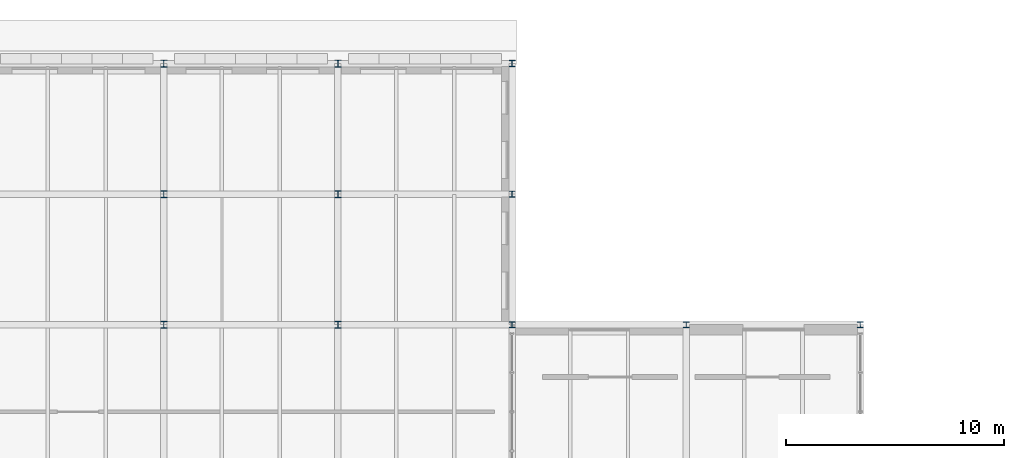
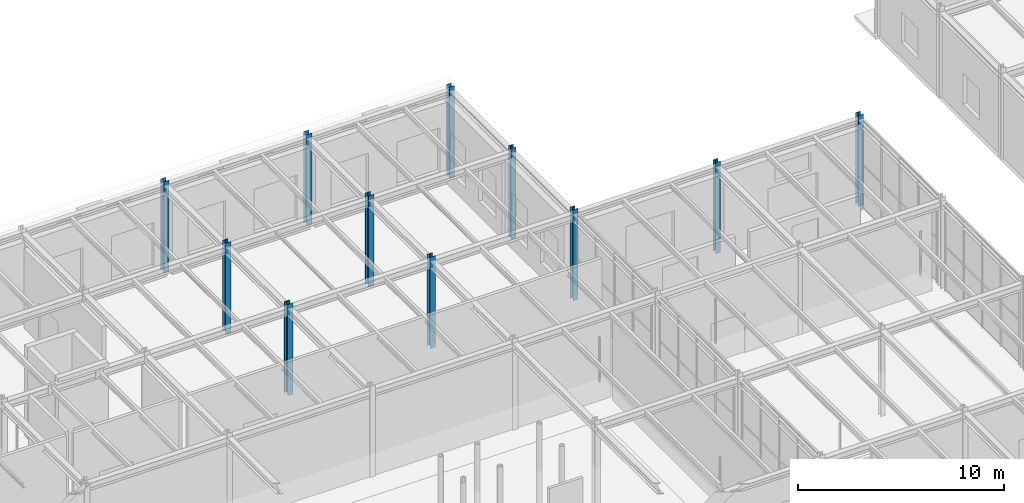
# One storey, part 16 of 129: 11 columns.
"""IFC4 building model written with IfcOpenShell, lengths in metres."""

from ifc_helpers import new_model, si_unit, direction, frame, origin, origin_2d, place, context, subcontext, project, spatial, i_section, extrude, material, material_profile, profile_set, type_object, element, save


model = new_model("IFC4")

# Units and contexts
model_context = context("Model", 3, precision=1e-05, world=origin(), true_north=direction((0.0, 1.0)))
body_context = subcontext(model_context, "Body", "Model", "MODEL_VIEW")
ifc_project = project(units=[si_unit("LENGTHUNIT", "METRE"), si_unit("AREAUNIT", "SQUARE_METRE"), si_unit("VOLUMEUNIT", "CUBIC_METRE"), si_unit("PLANEANGLEUNIT", "RADIAN"), si_unit("MASSUNIT", "GRAM", prefix="KILO")], contexts=[model_context])

# Site, building, storey
site_placement = place(None, origin())
site = spatial("IfcSite", under=ifc_project, at=site_placement, CompositionType="ELEMENT")
building_placement = place(site_placement, origin())
building = spatial("IfcBuilding", under=site, at=building_placement, Name="Sundkrona Museum", CompositionType="ELEMENT")
storey_placement = place(building_placement, origin())
storey = spatial("IfcBuildingStorey", under=building, at=storey_placement, Name="L00", CompositionType="ELEMENT", Elevation=0.0)

# Columns
ifc_material = material(Name="Steel S355J2", Category="steel")
ifc_material_profile_1 = material_profile(ifc_material, i_section(OverallWidth=0.280029296875, OverallDepth=0.280029296875, WebThickness=0.010498046875, FlangeThickness=0.01806640625, FilletRadius=0.02392578125, at=origin_2d()), Name="HEB 280")
ifc_profile_set_1 = profile_set([ifc_material_profile_1], Name="Steel S355J2")
column_type_1 = type_object("IfcColumnType", Name="C-HEB280", PredefinedType="COLUMN", material=ifc_profile_set_1)
for number, where, z_axis, x_axis, name in (
    (1, (80.0, 102.0, 0.0), (0.0, 0.0, 1.0), (1.0, 0.0, 0.0), "L00 Column P/11"),
    (2, (80.0, 108.0, 0.0), (0.0, 0.0, 1.0), (1.0, 0.0, 0.0), "L00 Column Q/11"),
    (3, (80.0, 114.0, 0.0), (0.0, 0.0, 1.0), (1.0, 0.0, 0.0), "L00 Column R/11"),
    (4, (88.0, 102.0, 0.0), (0.0, 0.0, 1.0), (1.0, 0.0, 0.0), "L00 Column P/12"),
    (5, (96.0, 102.0, 0.0), (0.0, 0.0, 1.0), (1.0, 0.0, 0.0), "L00 Column P/13"),
):
    element("IfcColumn", number, at=place(storey_placement, frame(where, z_axis=z_axis, x_axis=x_axis)), inside=storey, type_object=column_type_1, Name=name, PredefinedType="COLUMN", context=body_context, shape_type="SweptSolid", body=[
        extrude(i_section(OverallWidth=0.280029296875, OverallDepth=0.280029296875, WebThickness=0.010498046875, FlangeThickness=0.01806640625, FilletRadius=0.02392578125, at=origin_2d()), origin(), (0.0, 0.0, 1.0), 5.39990234375),
    ])
ifc_material_profile_2 = material_profile(ifc_material, i_section(OverallWidth=0.300048828125, OverallDepth=0.320068359375, WebThickness=0.011474609375, FlangeThickness=0.0205078125, FilletRadius=0.027099609375, at=origin_2d()), Name="HEB 320")
ifc_profile_set_2 = profile_set([ifc_material_profile_2], Name="Steel S355J2")
column_type_2 = type_object("IfcColumnType", Name="C-HEB320", PredefinedType="COLUMN", material=ifc_profile_set_2)
for number, where, z_axis, x_axis, name in (
    (6, (64.0, 102.0, 0.0), (0.0, 0.0, 1.0), (1.0, 0.0, 0.0), "L00 Column P/9"),
    (7, (64.0, 108.0, 0.0), (0.0, 0.0, 1.0), (1.0, 0.0, 0.0), "L00 Column Q/9"),
    (8, (64.0, 114.0, 0.0), (0.0, 0.0, 1.0), (1.0, 0.0, 0.0), "L00 Column R/9"),
    (9, (72.0, 102.0, 0.0), (0.0, 0.0, 1.0), (1.0, 0.0, 0.0), "L00 Column P/10"),
    (10, (72.0, 108.0, 0.0), (0.0, 0.0, 1.0), (1.0, 0.0, 0.0), "L00 Column Q/10"),
    (11, (72.0, 114.0, 0.0), (0.0, 0.0, 1.0), (1.0, 0.0, 0.0), "L00 Column R/10"),
):
    element("IfcColumn", number, at=place(storey_placement, frame(where, z_axis=z_axis, x_axis=x_axis)), inside=storey, type_object=column_type_2, Name=name, PredefinedType="COLUMN", context=body_context, shape_type="SweptSolid", body=[
        extrude(i_section(OverallWidth=0.300048828125, OverallDepth=0.320068359375, WebThickness=0.011474609375, FlangeThickness=0.0205078125, FilletRadius=0.027099609375, at=origin_2d()), origin(), (0.0, 0.0, 1.0), 5.39990234375),
    ])

save(model, "model.ifc")
